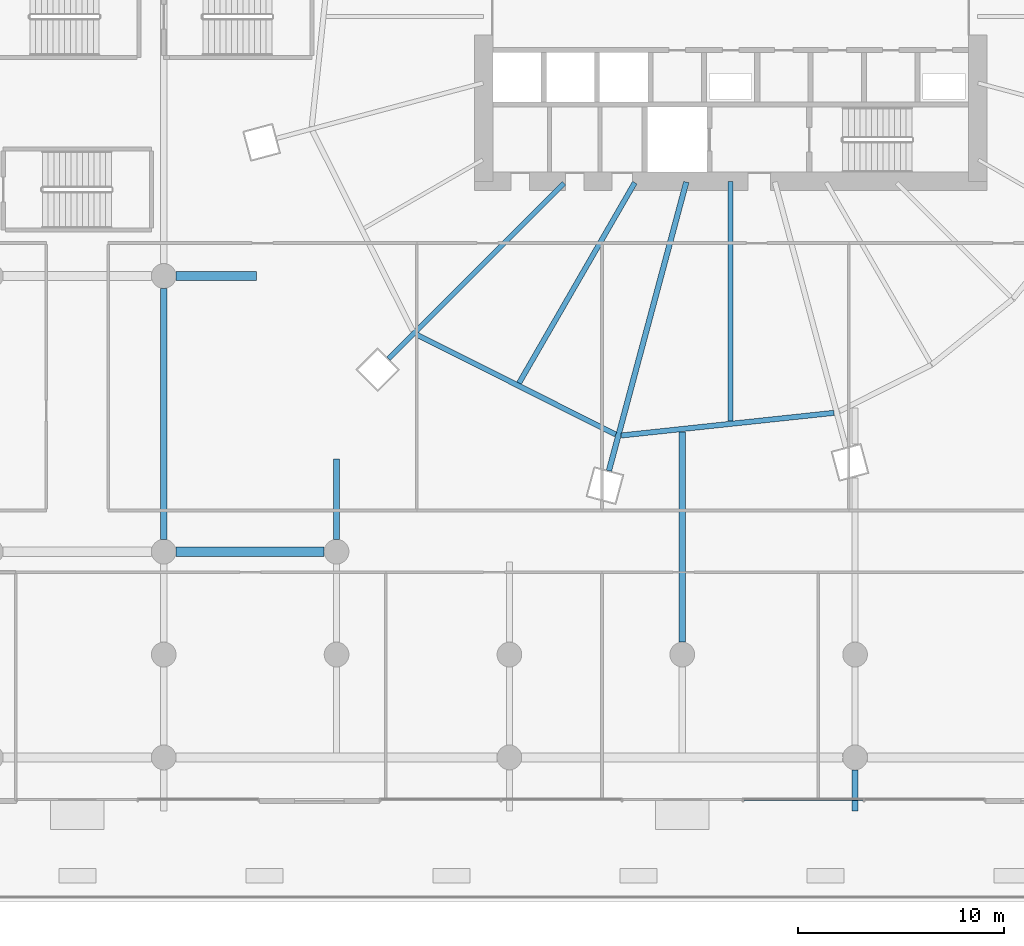
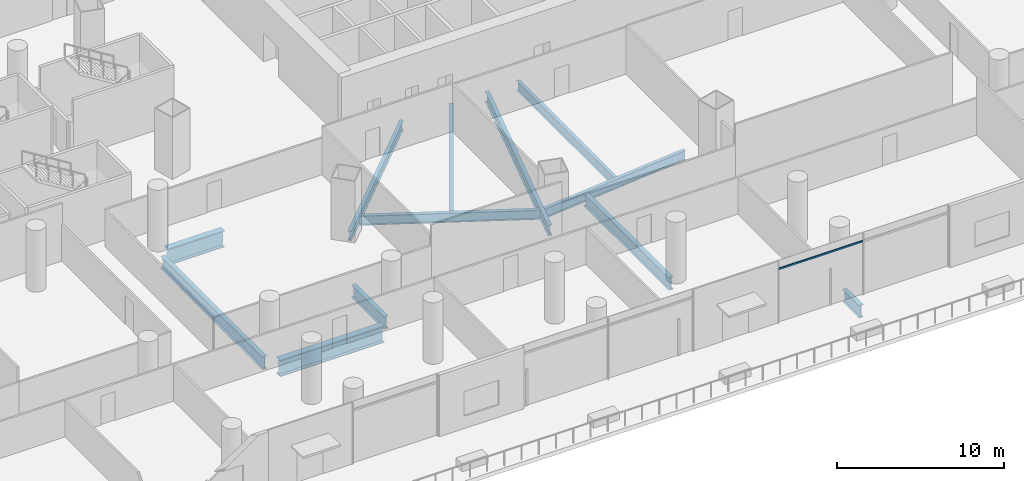
# One storey, part 11 of 43: 12 beams, 1 member, 1 element without a shape of its own.
"""IFC4 building model written with IfcOpenShell, lengths in metres."""

from ifc_helpers import new_model, si_unit, direction, frame, origin, origin_2d, place, context, subcontext, project, spatial, rectangle, i_section, extrude, material, material_profile, profile_set, type_object, element, aggregate, save


model = new_model("IFC4")

# Units and contexts
model_context = context("Model", 3, precision=1e-05, world=origin(), true_north=direction((0.0, 1.0)))
body_context = subcontext(model_context, "Body", "Model", "MODEL_VIEW")
ifc_project = project(units=[si_unit("LENGTHUNIT", "METRE"), si_unit("AREAUNIT", "SQUARE_METRE"), si_unit("VOLUMEUNIT", "CUBIC_METRE"), si_unit("PLANEANGLEUNIT", "RADIAN"), si_unit("MASSUNIT", "GRAM", prefix="KILO")], contexts=[model_context])

# Site, building, storey
site_placement = place(None, origin())
site = spatial("IfcSite", under=ifc_project, at=site_placement, CompositionType="ELEMENT")
building_placement = place(site_placement, origin())
building = spatial("IfcBuilding", under=site, at=building_placement, Name="Rimbun Link Towers", CompositionType="ELEMENT")
storey_placement = place(building_placement, frame((0.0, 0.0, 12.0)))
storey = spatial("IfcBuildingStorey", under=building, at=storey_placement, Name="L02", CompositionType="ELEMENT", Elevation=12.0)

# Curtain wall, member
ifc_material_1 = material(Name="Aluminium 6063-T6 and low-iron glass", Category="aluminium")
curtain_wall_type = type_object("IfcCurtainWallType", Name="CW3 podium shopfront", PredefinedType="NOTDEFINED", material=ifc_material_1)
curtain_wall_placement = place(storey_placement, origin())
curtain_wall = element("IfcCurtainWall", 1, at=curtain_wall_placement, inside=storey, type_object=curtain_wall_type, Name="CW3 L02 PD", PredefinedType="NOTDEFINED")
ifc_material_2 = material(Name="Aluminium 6063-T6", Category="aluminium")
ifc_material_profile_1 = material_profile(ifc_material_2, rectangle(XDim=0.06005859375, YDim=0.1201171875, at=origin_2d()), Name="TRANSOM 60X120")
ifc_profile_set_1 = profile_set([ifc_material_profile_1], Name="Aluminium 6063-T6")
member_type = type_object("IfcMemberType", Name="CW3 transom 60X120", PredefinedType="USERDEFINED", material=ifc_profile_set_1)
member_placement = place(storey_placement, frame((38.205322265625, -38.053955078125, 3.89990234375), z_axis=(-1.0, 0.0, 0.0), x_axis=(0.0, -1.0, 0.0)))
member = element("IfcMember", 2, at=member_placement, type_object=member_type, Name="CW3 transom", ObjectType="TRANSOM", PredefinedType="USERDEFINED", context=body_context, shape_type="SweptSolid", body=[
    extrude(rectangle(XDim=0.06005859375, YDim=0.1201171875, at=origin_2d()), origin(), (0.0, 0.0, 1.0), 5.822265625),
])
aggregate(curtain_wall, [member])

# Beams
ifc_material_3 = material(Name="Steel S355J2", Category="steel")
ifc_material_profile_2 = material_profile(ifc_material_3, i_section(OverallWidth=0.449951171875, OverallDepth=1.199951171875, WebThickness=0.030029296875, FlangeThickness=0.044921875, at=origin_2d()), Name="PG 1200x450x30/45")
ifc_profile_set_2 = profile_set([ifc_material_profile_2], Name="Steel S355J2")
beam_type_1 = type_object("IfcBeamType", Name="PG 1200x450x30/45", PredefinedType="BEAM", material=ifc_profile_set_2)
beam_1_placement = place(storey_placement, frame((4.800048828125, -26.0, -0.89990234375), z_axis=(1.0, 0.0, 0.0), x_axis=(0.0, 1.0, 0.0)))
element("IfcBeam", 3, at=beam_1_placement, inside=storey, type_object=beam_type_1, Name="Grid beam L02 -26.0", PredefinedType="BEAM", context=body_context, shape_type="SweptSolid", body=[
    extrude(i_section(OverallWidth=0.449951171875, OverallDepth=1.199951171875, WebThickness=0.030029296875, FlangeThickness=0.044921875, at=origin_2d()), origin(), (0.0, 0.0, 1.0), 7.199951171875),
])
beam_2_placement = place(storey_placement, frame((4.800048828125, -12.60009765625, -0.89990234375), z_axis=(1.0, 0.0, 0.0), x_axis=(0.0, 1.0, 0.0)))
element("IfcBeam", 4, at=beam_2_placement, inside=storey, type_object=beam_type_1, Name="Grid beam L02 -12.6", PredefinedType="BEAM", context=body_context, shape_type="SweptSolid", body=[
    extrude(i_section(OverallWidth=0.449951171875, OverallDepth=1.199951171875, WebThickness=0.030029296875, FlangeThickness=0.044921875, at=origin_2d()), origin(), (0.0, 0.0, 1.0), 3.89990234375),
])
ifc_material_4 = material(Name="Steel S355J2", Category="steel")
ifc_material_profile_3 = material_profile(ifc_material_4, i_section(OverallWidth=0.253662109375, OverallDepth=0.68359375, WebThickness=0.012451171875, FlangeThickness=0.01904296875, at=origin_2d()), Name="UB 686x254x140")
ifc_profile_set_3 = profile_set([ifc_material_profile_3], Name="Steel S355J2")
beam_type_2 = type_object("IfcBeamType", Name="UB 686x254x140", PredefinedType="BEAM", material=ifc_profile_set_3)
beam_3_placement = place(storey_placement, frame((23.65966796875, -8.09033203125, -0.641845703125), z_axis=(-0.707106781187, -0.707106781187, 0.0), x_axis=(0.707106781187, -0.707106781187, 0.0)))
element("IfcBeam", 5, at=beam_3_placement, inside=storey, type_object=beam_type_2, Name="Radial beam T2 L02 12", PredefinedType="BEAM", context=body_context, shape_type="SweptSolid", body=[
    extrude(i_section(OverallWidth=0.253662109375, OverallDepth=0.68359375, WebThickness=0.012451171875, FlangeThickness=0.01904296875, at=origin_2d()), origin(), (0.0, 0.0, 1.0), 12.0712890625),
])
beam_4_placement = place(storey_placement, frame((27.093994140625, -8.064208984375, -0.641845703125), z_axis=(-0.499995511288, -0.866027995328, 0.0), x_axis=(0.866027995328, -0.499995511288, 0.0)))
element("IfcBeam", 6, at=beam_4_placement, inside=storey, type_object=beam_type_2, Name="Radial beam T2 L02 13", PredefinedType="BEAM", context=body_context, shape_type="SweptSolid", body=[
    extrude(i_section(OverallWidth=0.253662109375, OverallDepth=0.68359375, WebThickness=0.012451171875, FlangeThickness=0.01904296875, at=origin_2d()), origin(), (0.0, 0.0, 1.0), 11.248046875),
])
beam_5_placement = place(storey_placement, frame((31.75, -8.0009765625, -0.641845703125), z_axis=(0.0, -1.0, 0.0), x_axis=(1.0, 0.0, 0.0)))
element("IfcBeam", 7, at=beam_5_placement, inside=storey, type_object=beam_type_2, Name="Radial beam T2 L02 15", PredefinedType="BEAM", context=body_context, shape_type="SweptSolid", body=[
    extrude(i_section(OverallWidth=0.253662109375, OverallDepth=0.68359375, WebThickness=0.012451171875, FlangeThickness=0.01904296875, at=origin_2d()), origin(), (0.0, 0.0, 1.0), 11.65771484375),
])
beam_6_placement = place(storey_placement, frame((16.484130859375, -15.446533203125, -0.641845703125), z_axis=(0.893777409404, -0.448510805264, 0.0), x_axis=(0.448510805264, 0.893777409404, 0.0)))
element("IfcBeam", 8, at=beam_6_placement, inside=storey, type_object=beam_type_2, Name="Edge beam T2 L02 12-14", PredefinedType="BEAM", context=body_context, shape_type="SweptSolid", body=[
    extrude(i_section(OverallWidth=0.253662109375, OverallDepth=0.68359375, WebThickness=0.012451171875, FlangeThickness=0.01904296875, at=origin_2d()), origin(), (0.0, 0.0, 1.0), 10.836669921875),
])
beam_7_placement = place(storey_placement, frame((26.435302734375, -20.353271484375, -0.641845703125), z_axis=(0.994376453373, 0.105903111275, 0.0), x_axis=(-0.105903111275, 0.994376453373, 0.0)))
element("IfcBeam", 9, at=beam_7_placement, inside=storey, type_object=beam_type_2, Name="Edge beam T2 L02 14-16", PredefinedType="BEAM", context=body_context, shape_type="SweptSolid", body=[
    extrude(i_section(OverallWidth=0.253662109375, OverallDepth=0.68359375, WebThickness=0.012451171875, FlangeThickness=0.01904296875, at=origin_2d()), origin(), (0.0, 0.0, 1.0), 10.3994140625),
])
ifc_material_5 = material(Name="Steel S355J2", Category="steel")
ifc_material_profile_4 = material_profile(ifc_material_5, i_section(OverallWidth=0.2666015625, OverallDepth=0.76220703125, WebThickness=0.014404296875, FlangeThickness=0.021484375, at=origin_2d()), Name="UB 762x267x173")
ifc_profile_set_4 = profile_set([ifc_material_profile_4], Name="Steel S355J2")
beam_type_3 = type_object("IfcBeamType", Name="UB 762x267x173", PredefinedType="BEAM", material=ifc_profile_set_4)
beam_8_placement = place(storey_placement, frame((29.596923828125, -8.035400390625, -0.68115234375), z_axis=(-0.25882261837, -0.965924868828, 0.0), x_axis=(0.965924868828, -0.25882261837, 0.0)))
element("IfcBeam", 10, at=beam_8_placement, inside=storey, type_object=beam_type_3, Name="Radial beam T2 L02 14", PredefinedType="BEAM", context=body_context, shape_type="SweptSolid", body=[
    extrude(i_section(OverallWidth=0.2666015625, OverallDepth=0.76220703125, WebThickness=0.014404296875, FlangeThickness=0.021484375, at=origin_2d()), origin(), (0.0, 0.0, 1.0), 14.525390625),
])
ifc_material_6 = material(Name="Steel S355J2", Category="steel")
ifc_material_profile_5 = material_profile(ifc_material_6, i_section(OverallWidth=0.305419921875, OverallDepth=0.91845703125, WebThickness=0.017333984375, FlangeThickness=0.02783203125, at=origin_2d()), Name="UB 914x305x253")
ifc_profile_set_5 = profile_set([ifc_material_profile_5], Name="Steel S355J2")
beam_type_4 = type_object("IfcBeamType", Name="UB 914x305x253", PredefinedType="BEAM", material=ifc_profile_set_5)
beam_9_placement = place(storey_placement, frame((4.199951171875, -25.39990234375, -0.75927734375), z_axis=(0.0, 1.0, 0.0), x_axis=(-1.0, 0.0, 0.0)))
element("IfcBeam", 11, at=beam_9_placement, inside=storey, type_object=beam_type_4, Name="Grid beam L02 +4.2", PredefinedType="BEAM", context=body_context, shape_type="SweptSolid", body=[
    extrude(i_section(OverallWidth=0.305419921875, OverallDepth=0.91845703125, WebThickness=0.017333984375, FlangeThickness=0.02783203125, at=origin_2d()), origin(), (0.0, 0.0, 1.0), 12.199951171875),
])
beam_10_placement = place(storey_placement, frame((12.60009765625, -25.39990234375, -0.75927734375), z_axis=(0.0, 1.0, 0.0), x_axis=(-1.0, 0.0, 0.0)))
element("IfcBeam", 12, at=beam_10_placement, inside=storey, type_object=beam_type_4, Name="Grid beam L02 +12.6", PredefinedType="BEAM", context=body_context, shape_type="SweptSolid", body=[
    extrude(i_section(OverallWidth=0.305419921875, OverallDepth=0.91845703125, WebThickness=0.017333984375, FlangeThickness=0.02783203125, at=origin_2d()), origin(), (0.0, 0.0, 1.0), 3.89990234375),
])
beam_11_placement = place(storey_placement, frame((29.39990234375, -30.39990234375, -0.75927734375), z_axis=(0.0, 1.0, 0.0), x_axis=(-1.0, 0.0, 0.0)))
element("IfcBeam", 13, at=beam_11_placement, inside=storey, type_object=beam_type_4, Name="Grid beam L02 +29.4", PredefinedType="BEAM", context=body_context, shape_type="SweptSolid", body=[
    extrude(i_section(OverallWidth=0.305419921875, OverallDepth=0.91845703125, WebThickness=0.017333984375, FlangeThickness=0.02783203125, at=origin_2d()), origin(), (0.0, 0.0, 1.0), 10.217529296875),
])
beam_12_placement = place(storey_placement, frame((37.800048828125, -38.60009765625, -0.75927734375), z_axis=(0.0, 1.0, 0.0), x_axis=(-1.0, 0.0, 0.0)))
element("IfcBeam", 14, at=beam_12_placement, inside=storey, type_object=beam_type_4, Name="Grid beam L02 +37.8", PredefinedType="BEAM", context=body_context, shape_type="SweptSolid", body=[
    extrude(i_section(OverallWidth=0.305419921875, OverallDepth=0.91845703125, WebThickness=0.017333984375, FlangeThickness=0.02783203125, at=origin_2d()), origin(), (0.0, 0.0, 1.0), 2.0),
])

save(model, "model.ifc")
